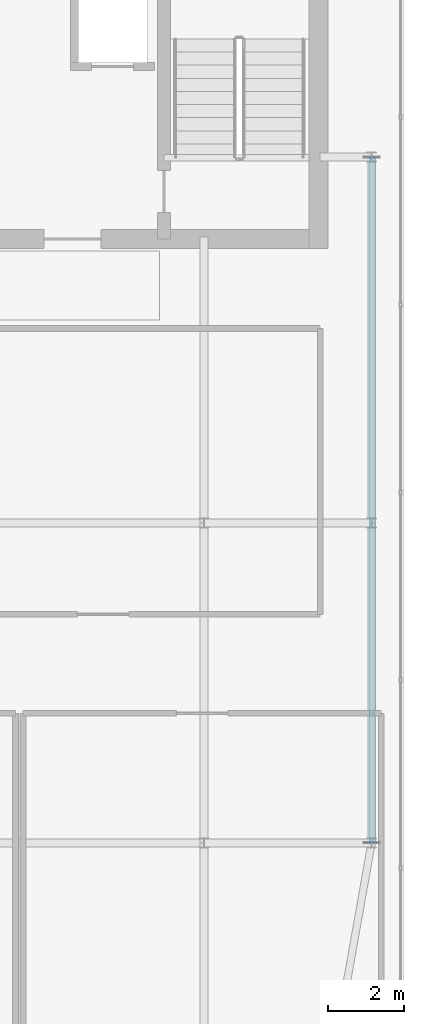
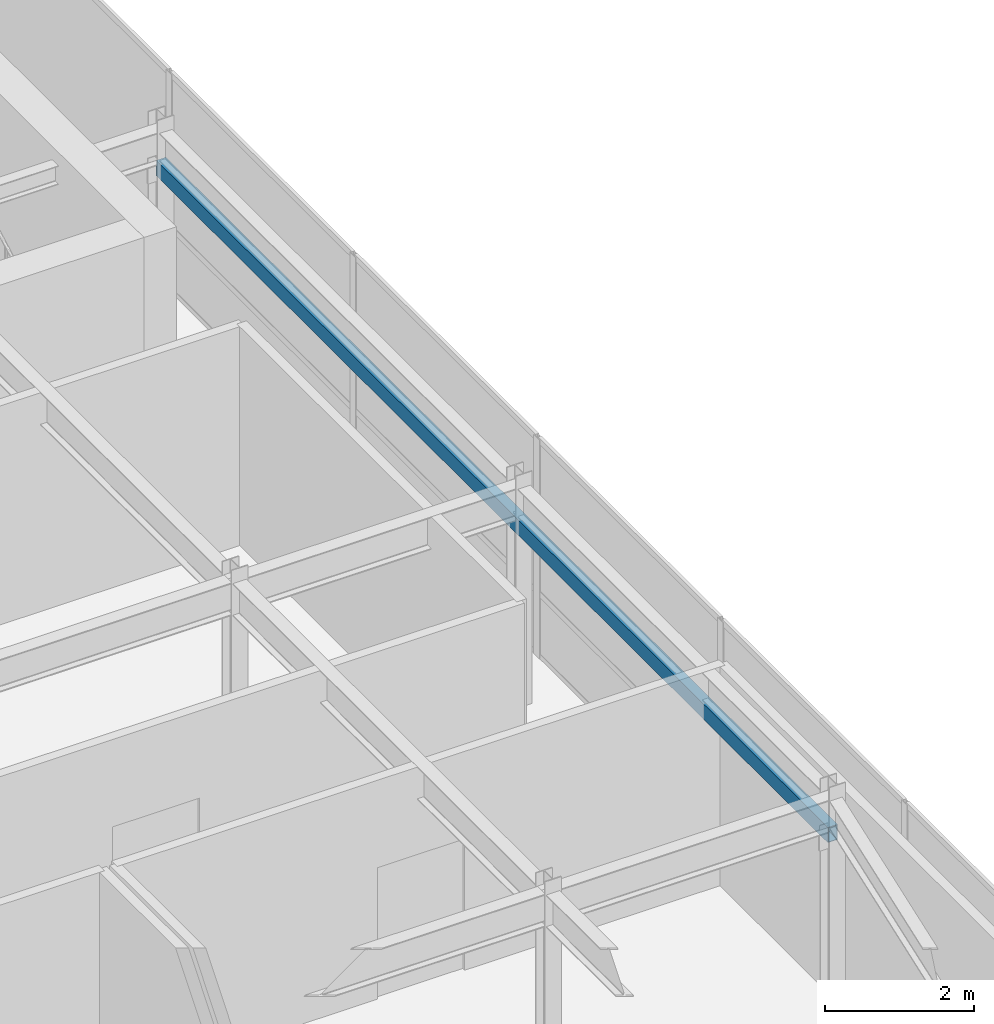
# One storey, part 23 of 36: 1 member.
"""IFC4 building model written with IfcOpenShell, lengths in metres."""

from ifc_helpers import new_model, si_unit, direction, frame, origin, origin_2d, place, context, subcontext, project, spatial, hollow_rectangle, extrude, source, transform, mapped, material, material_profile, profile_set, type_object, type_shapes, element, save


model = new_model("IFC4")

# Units and contexts
model_context = context("Model", 3, precision=1e-05, world=origin(), true_north=direction((0.0, 1.0)))
body_context = subcontext(model_context, "Body", "Model", "MODEL_VIEW")
ifc_project = project(units=[si_unit("LENGTHUNIT", "METRE"), si_unit("AREAUNIT", "SQUARE_METRE"), si_unit("VOLUMEUNIT", "CUBIC_METRE"), si_unit("PLANEANGLEUNIT", "RADIAN"), si_unit("MASSUNIT", "GRAM", prefix="KILO")], contexts=[model_context])

# Site, building, storey
site_placement = place(None, origin())
site = spatial("IfcSite", under=ifc_project, at=site_placement, CompositionType="ELEMENT")
building_placement = place(site_placement, origin())
building = spatial("IfcBuilding", under=site, at=building_placement, Name="Tolvann Quenvar Hotel", CompositionType="ELEMENT")
storey_placement = place(building_placement, frame((0.0, 0.0, 302.35009765625)))
storey = spatial("IfcBuildingStorey", under=building, at=storey_placement, Name="L80", CompositionType="ELEMENT", Elevation=302.35009765625)

# Member
ifc_material = material(Name="Steel Grade 450 (C450L0)", Category="steel")
ifc_material_profile = material_profile(ifc_material, hollow_rectangle(XDim=0.14990234375, YDim=0.25, WallThickness=0.009033203125, at=origin_2d()), Name="250x150x9RHS")
ifc_profile_set = profile_set([ifc_material_profile], Name="Steel Grade 450 (C450L0)")
member_type = type_object("IfcMemberType", Name="MEM_CROWN_250RHS", PredefinedType="USERDEFINED", material=ifc_profile_set)
shared_shape = source(origin(), body_context, "Body", "SweptSolid", [
    extrude(hollow_rectangle(XDim=0.14990234375, YDim=0.25, WallThickness=0.009033203125, at=origin_2d()), origin(), (0.0, 0.0, 1.0), 18.0),
])
type_shapes(member_type, [shared_shape])
member_placement = place(storey_placement, frame((37.14990234375, 16.0, 2.929931640625), z_axis=(0.0, 1.0, 0.0), x_axis=(-1.0, 0.0, 0.0)))
element("IfcMember", 1, at=member_placement, inside=storey, type_object=member_type, Name="Crown Frame Ring Member (L80-3)", ObjectType="CROWN FRAME", PredefinedType="USERDEFINED", context=body_context, shape_type="MappedRepresentation", body=[
    mapped(shared_shape, transform((0.0, 0.0, 0.0), x_axis=(1.0, 0.0, 0.0), y_axis=(0.0, 1.0, 0.0), z_axis=(0.0, 0.0, 1.0), scale=1.0)),
])

save(model, "model.ifc")
